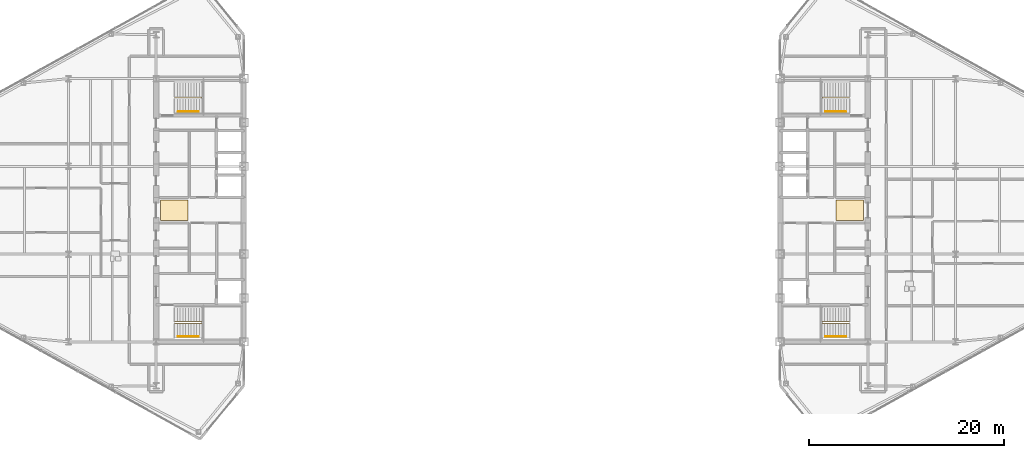
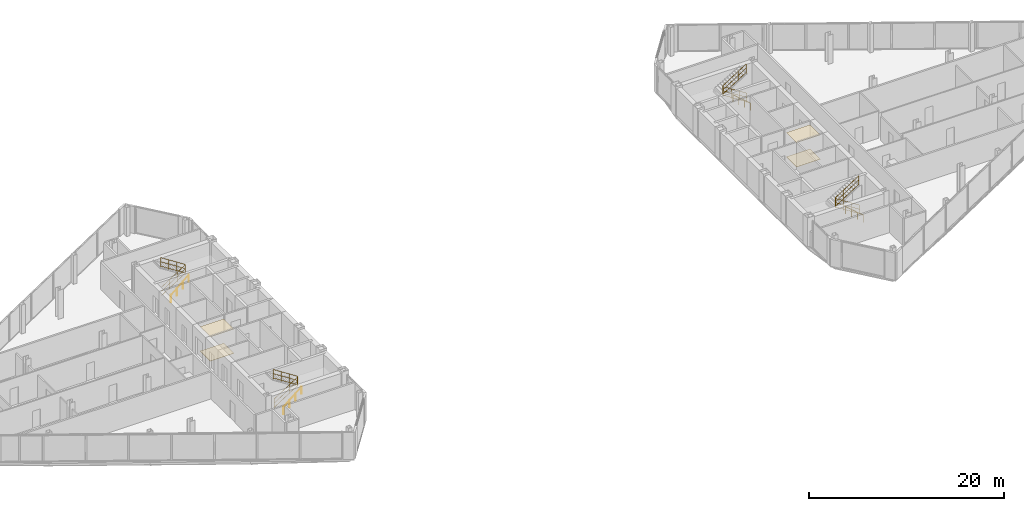
# One storey, part 25 of 26: 8 railings, 4 coverings.
"""IFC4 building model written with IfcOpenShell, lengths in metres."""

from ifc_helpers import new_model, si_unit, direction, frame, origin, origin_2d, place, context, subcontext, project, spatial, polyline, circle, outline, extrude, material, layer, layer_set, type_object, element, save


model = new_model("IFC4")

# Units and contexts
model_context = context("Model", 3, precision=1e-05, world=origin(), true_north=direction((0.0, 1.0)))
body_context = subcontext(model_context, "Body", "Model", "MODEL_VIEW")
ifc_project = project(units=[si_unit("LENGTHUNIT", "METRE"), si_unit("AREAUNIT", "SQUARE_METRE"), si_unit("VOLUMEUNIT", "CUBIC_METRE"), si_unit("PLANEANGLEUNIT", "RADIAN"), si_unit("MASSUNIT", "GRAM", prefix="KILO")], contexts=[model_context])

# Site, building, storey
site_placement = place(None, origin())
site = spatial("IfcSite", under=ifc_project, at=site_placement, CompositionType="ELEMENT")
building_placement = place(site_placement, origin())
building = spatial("IfcBuilding", under=site, at=building_placement, Name="Seokmaru Belvedere", CompositionType="ELEMENT")
storey_placement = place(building_placement, frame((0.0, 0.0, 192.300048828125)))
storey = spatial("IfcBuildingStorey", under=building, at=storey_placement, Name="L51", CompositionType="ELEMENT", Elevation=192.300048828125)

# Coverings
ifc_material_1 = material(Name="Engineered White Oak Timber", Category="wood")
ifc_layer_1 = layer(ifc_material_1, 0.02197265625)
ifc_layer_set_1 = layer_set([ifc_layer_1], Name="Engineered White Oak Timber")
covering_type_1 = type_object("IfcCoveringType", Name="Engineered Oak Residence Floor Finish 22", PredefinedType="FLOORING", material=ifc_layer_set_1)
covering_1_placement = place(storey_placement, origin())
element("IfcCovering", 1, at=covering_1_placement, inside=storey, type_object=covering_type_1, Name="L51 W Foyer Floor Finish", PredefinedType="FLOORING", context=body_context, shape_type="SweptSolid", body=[
    extrude(outline(polyline([(-36.050048828125, -1.050048828125), (-33.25, -1.050048828125), (-33.25, 1.050048828125), (-36.050048828125, 1.050048828125), (-36.050048828125, -1.050048828125)])), origin(), (0.0, 0.0, 1.0), 0.02197265625),
])
covering_2_placement = place(storey_placement, origin())
element("IfcCovering", 2, at=covering_2_placement, inside=storey, type_object=covering_type_1, Name="L51 E Foyer Floor Finish", PredefinedType="FLOORING", context=body_context, shape_type="SweptSolid", body=[
    extrude(outline(polyline([(33.25, -1.050048828125), (36.050048828125, -1.050048828125), (36.050048828125, 1.050048828125), (33.25, 1.050048828125), (33.25, -1.050048828125)])), origin(), (0.0, 0.0, 1.0), 0.02197265625),
])
ifc_material_2 = material(Name="Fire-Rated Gypsum Shaftwall")
ifc_layer_2 = layer(ifc_material_2, 0.02490234375)
ifc_layer_set_2 = layer_set([ifc_layer_2], Name="Fire-Rated Gypsum Shaftwall")
covering_type_2 = type_object("IfcCoveringType", Name="Perforated Acoustic Gypsum Suspended Ceiling 25", PredefinedType="CEILING", material=ifc_layer_set_2)
covering_3_placement = place(storey_placement, frame((0.0, 0.0, 3.030029296875)))
element("IfcCovering", 3, at=covering_3_placement, inside=storey, type_object=covering_type_2, Name="L51 W Lift Foyer Acoustic Ceiling", PredefinedType="CEILING", context=body_context, shape_type="SweptSolid", body=[
    extrude(outline(polyline([(-36.050048828125, -1.050048828125), (-33.25, -1.050048828125), (-33.25, 1.050048828125), (-36.050048828125, 1.050048828125), (-36.050048828125, -1.050048828125)])), origin(), (0.0, 0.0, 1.0), 0.02490234375),
])
covering_4_placement = place(storey_placement, frame((0.0, 0.0, 3.030029296875)))
element("IfcCovering", 4, at=covering_4_placement, inside=storey, type_object=covering_type_2, Name="L51 E Lift Foyer Acoustic Ceiling", PredefinedType="CEILING", context=body_context, shape_type="SweptSolid", body=[
    extrude(outline(polyline([(33.25, -1.050048828125), (36.050048828125, -1.050048828125), (36.050048828125, 1.050048828125), (33.25, 1.050048828125), (33.25, -1.050048828125)])), origin(), (0.0, 0.0, 1.0), 0.02490234375),
])

# Railings
ifc_material_3 = material(Name="Stainless Steel 316", Category="steel")
railing_type_1 = type_object("IfcRailingType", Name="Stainless Steel Wall and Flight Handrail 900", PredefinedType="HANDRAIL", material=ifc_material_3)
for number, where, name in (
    (5, (-34.25, -12.949951171875, 0.0), "L51 Stair ST-W1 Wall Handrail"),
    (6, (-34.25, 10.110107421875, 0.0), "L51 Stair ST-W2 Wall Handrail"),
):
    element("IfcRailing", number, at=place(storey_placement, frame(where)), inside=storey, type_object=railing_type_1, Name=name, PredefinedType="HANDRAIL", context=body_context, shape_type="SweptSolid", body=[
        extrude(circle(Radius=0.02392578125, at=origin_2d()), frame((0.0, 0.0, 0.8759765625), z_axis=(0.759262832861, 0.0, 0.650784104474), x_axis=(0.0, 1.0, 0.0)), (0.0, 0.0, 1.0), 2.765869140625),
        extrude(circle(Radius=0.02099609375, at=origin_2d()), origin(), (0.0, 0.0, 1.0), 0.851806640625),
        extrude(circle(Radius=0.02099609375, at=origin_2d()), frame((0.699951171875, 0.0, 0.60009765625)), (0.0, 0.0, 1.0), 0.851806640625),
        extrude(circle(Radius=0.02099609375, at=origin_2d()), frame((1.400146484375, 0.0, 1.199951171875)), (0.0, 0.0, 1.0), 0.851806640625),
        extrude(circle(Radius=0.02099609375, at=origin_2d()), frame((2.10009765625, 0.0, 1.800048828125)), (0.0, 0.0, 1.0), 0.851806640625),
    ])
for number, where, name in (
    (7, (34.25, -12.949951171875, 0.0), "L51 Stair ST-E1 Wall Handrail"),
    (8, (34.25, 10.110107421875, 0.0), "L51 Stair ST-E2 Wall Handrail"),
):
    element("IfcRailing", number, at=place(storey_placement, frame(where)), inside=storey, type_object=railing_type_1, Name=name, PredefinedType="HANDRAIL", context=body_context, shape_type="SweptSolid", body=[
        extrude(circle(Radius=0.02392578125, at=origin_2d()), frame((0.0, 0.0, 0.8759765625), z_axis=(-0.759262832861, 0.0, 0.650784104474), x_axis=(0.0, -1.0, 0.0)), (0.0, 0.0, 1.0), 2.765869140625),
        extrude(circle(Radius=0.02099609375, at=origin_2d()), origin(), (0.0, 0.0, 1.0), 0.851806640625),
        extrude(circle(Radius=0.02099609375, at=origin_2d()), frame((-0.699951171875, 0.0, 0.60009765625)), (0.0, 0.0, 1.0), 0.851806640625),
        extrude(circle(Radius=0.02099609375, at=origin_2d()), frame((-1.400146484375, 0.0, 1.199951171875)), (0.0, 0.0, 1.0), 0.851806640625),
        extrude(circle(Radius=0.02099609375, at=origin_2d()), frame((-2.10009765625, 0.0, 1.800048828125)), (0.0, 0.0, 1.0), 0.851806640625),
    ])
railing_type_2 = type_object("IfcRailingType", Name="Stair Well and Atrium Steel Guardrail 1200", PredefinedType="GUARDRAIL", material=ifc_material_3)
railing_1_placement = place(storey_placement, frame((-34.60009765625, -11.60009765625, 0.0)))
element("IfcRailing", 9, at=railing_1_placement, inside=storey, type_object=railing_type_2, Name="L51 Stair ST-W1 Inner Well Guardrail", PredefinedType="GUARDRAIL", context=body_context, shape_type="SweptSolid", body=[
    extrude(circle(Radius=0.02392578125, at=origin_2d()), frame((0.0, 0.0, 1.17578125), z_axis=(0.841176092368, 0.0, 0.540761298198), x_axis=(0.0, 1.0, 0.0)), (0.0, 0.0, 1.0), 3.32861328125),
    extrude(circle(Radius=0.02392578125, at=origin_2d()), frame((0.0, 0.0, 0.1201171875), z_axis=(0.841176092368, 0.0, 0.540761298198), x_axis=(0.0, 1.0, 0.0)), (0.0, 0.0, 1.0), 3.32861328125),
    extrude(circle(Radius=0.02392578125, at=origin_2d()), frame((0.0, 0.0, 0.659912109375), z_axis=(0.841176092368, 0.0, 0.540761298198), x_axis=(0.0, 1.0, 0.0)), (0.0, 0.0, 1.0), 3.32861328125),
    extrude(circle(Radius=0.02392578125, at=origin_2d()), frame((2.800048828125, 0.0, 2.97607421875), z_axis=(0.0, 1.0, 0.0), x_axis=(-1.0, 0.0, 0.0)), (0.0, 0.0, 1.0), 0.14013671875),
    extrude(circle(Radius=0.02392578125, at=origin_2d()), frame((2.800048828125, 0.0, 1.920166015625), z_axis=(0.0, 1.0, 0.0), x_axis=(-1.0, 0.0, 0.0)), (0.0, 0.0, 1.0), 0.14013671875),
    extrude(circle(Radius=0.02392578125, at=origin_2d()), frame((2.800048828125, 0.0, 2.4599609375), z_axis=(0.0, 1.0, 0.0), x_axis=(-1.0, 0.0, 0.0)), (0.0, 0.0, 1.0), 0.14013671875),
    extrude(circle(Radius=0.02392578125, at=origin_2d()), frame((2.800048828125, 0.14013671875, 2.97607421875), z_axis=(-0.841209454229, 0.0, 0.540709398952), x_axis=(0.0, -1.0, 0.0)), (0.0, 0.0, 1.0), 3.32861328125),
    extrude(circle(Radius=0.02392578125, at=origin_2d()), frame((2.800048828125, 0.14013671875, 1.920166015625), z_axis=(-0.841209454229, 0.0, 0.540709398952), x_axis=(0.0, -1.0, 0.0)), (0.0, 0.0, 1.0), 3.32861328125),
    extrude(circle(Radius=0.02392578125, at=origin_2d()), frame((2.800048828125, 0.14013671875, 2.4599609375), z_axis=(-0.841209454229, 0.0, 0.540709398952), x_axis=(0.0, -1.0, 0.0)), (0.0, 0.0, 1.0), 3.32861328125),
    extrude(circle(Radius=0.02099609375, at=origin_2d()), origin(), (0.0, 0.0, 1.0), 1.15185546875),
    extrude(circle(Radius=0.02099609375, at=origin_2d()), frame((0.933349609375, 0.0, 0.60009765625)), (0.0, 0.0, 1.0), 1.15185546875),
    extrude(circle(Radius=0.02099609375, at=origin_2d()), frame((1.86669921875, 0.0, 1.199951171875)), (0.0, 0.0, 1.0), 1.15185546875),
    extrude(circle(Radius=0.02099609375, at=origin_2d()), frame((2.800048828125, 0.0, 1.800048828125)), (0.0, 0.0, 1.0), 1.15185546875),
    extrude(circle(Radius=0.02099609375, at=origin_2d()), frame((2.800048828125, 0.14013671875, 1.800048828125)), (0.0, 0.0, 1.0), 1.15185546875),
    extrude(circle(Radius=0.02099609375, at=origin_2d()), frame((1.86669921875, 0.14013671875, 2.39990234375)), (0.0, 0.0, 1.0), 1.15185546875),
    extrude(circle(Radius=0.02099609375, at=origin_2d()), frame((0.933349609375, 0.14013671875, 3.0)), (0.0, 0.0, 1.0), 1.15185546875),
    extrude(circle(Radius=0.02099609375, at=origin_2d()), frame((0.0, 0.14013671875, 3.599853515625)), (0.0, 0.0, 1.0), 1.15185546875),
])
railing_2_placement = place(storey_placement, frame((-34.60009765625, 11.4599609375, 0.0)))
element("IfcRailing", 10, at=railing_2_placement, inside=storey, type_object=railing_type_2, Name="L51 Stair ST-W2 Inner Well Guardrail", PredefinedType="GUARDRAIL", context=body_context, shape_type="SweptSolid", body=[
    extrude(circle(Radius=0.02392578125, at=origin_2d()), frame((0.0, 0.0, 1.17578125), z_axis=(0.841176092368, 0.0, 0.540761298198), x_axis=(0.0, 1.0, 0.0)), (0.0, 0.0, 1.0), 3.32861328125),
    extrude(circle(Radius=0.02392578125, at=origin_2d()), frame((0.0, 0.0, 0.1201171875), z_axis=(0.841176092368, 0.0, 0.540761298198), x_axis=(0.0, 1.0, 0.0)), (0.0, 0.0, 1.0), 3.32861328125),
    extrude(circle(Radius=0.02392578125, at=origin_2d()), frame((0.0, 0.0, 0.659912109375), z_axis=(0.841176092368, 0.0, 0.540761298198), x_axis=(0.0, 1.0, 0.0)), (0.0, 0.0, 1.0), 3.32861328125),
    extrude(circle(Radius=0.02392578125, at=origin_2d()), frame((2.800048828125, 0.0, 2.97607421875), z_axis=(0.0, 1.0, 0.0), x_axis=(-1.0, 0.0, 0.0)), (0.0, 0.0, 1.0), 0.14013671875),
    extrude(circle(Radius=0.02392578125, at=origin_2d()), frame((2.800048828125, 0.0, 1.920166015625), z_axis=(0.0, 1.0, 0.0), x_axis=(-1.0, 0.0, 0.0)), (0.0, 0.0, 1.0), 0.14013671875),
    extrude(circle(Radius=0.02392578125, at=origin_2d()), frame((2.800048828125, 0.0, 2.4599609375), z_axis=(0.0, 1.0, 0.0), x_axis=(-1.0, 0.0, 0.0)), (0.0, 0.0, 1.0), 0.14013671875),
    extrude(circle(Radius=0.02392578125, at=origin_2d()), frame((2.800048828125, 0.14013671875, 2.97607421875), z_axis=(-0.841209454229, 0.0, 0.540709398952), x_axis=(0.0, -1.0, 0.0)), (0.0, 0.0, 1.0), 3.32861328125),
    extrude(circle(Radius=0.02392578125, at=origin_2d()), frame((2.800048828125, 0.14013671875, 1.920166015625), z_axis=(-0.841209454229, 0.0, 0.540709398952), x_axis=(0.0, -1.0, 0.0)), (0.0, 0.0, 1.0), 3.32861328125),
    extrude(circle(Radius=0.02392578125, at=origin_2d()), frame((2.800048828125, 0.14013671875, 2.4599609375), z_axis=(-0.841209454229, 0.0, 0.540709398952), x_axis=(0.0, -1.0, 0.0)), (0.0, 0.0, 1.0), 3.32861328125),
    extrude(circle(Radius=0.02099609375, at=origin_2d()), origin(), (0.0, 0.0, 1.0), 1.15185546875),
    extrude(circle(Radius=0.02099609375, at=origin_2d()), frame((0.933349609375, 0.0, 0.60009765625)), (0.0, 0.0, 1.0), 1.15185546875),
    extrude(circle(Radius=0.02099609375, at=origin_2d()), frame((1.86669921875, 0.0, 1.199951171875)), (0.0, 0.0, 1.0), 1.15185546875),
    extrude(circle(Radius=0.02099609375, at=origin_2d()), frame((2.800048828125, 0.0, 1.800048828125)), (0.0, 0.0, 1.0), 1.15185546875),
    extrude(circle(Radius=0.02099609375, at=origin_2d()), frame((2.800048828125, 0.14013671875, 1.800048828125)), (0.0, 0.0, 1.0), 1.15185546875),
    extrude(circle(Radius=0.02099609375, at=origin_2d()), frame((1.86669921875, 0.14013671875, 2.39990234375)), (0.0, 0.0, 1.0), 1.15185546875),
    extrude(circle(Radius=0.02099609375, at=origin_2d()), frame((0.933349609375, 0.14013671875, 3.0)), (0.0, 0.0, 1.0), 1.15185546875),
    extrude(circle(Radius=0.02099609375, at=origin_2d()), frame((0.0, 0.14013671875, 3.599853515625)), (0.0, 0.0, 1.0), 1.15185546875),
])
railing_3_placement = place(storey_placement, frame((34.60009765625, -11.60009765625, 0.0)))
element("IfcRailing", 11, at=railing_3_placement, inside=storey, type_object=railing_type_2, Name="L51 Stair ST-E1 Inner Well Guardrail", PredefinedType="GUARDRAIL", context=body_context, shape_type="SweptSolid", body=[
    extrude(circle(Radius=0.02392578125, at=origin_2d()), frame((0.0, 0.0, 1.17578125), z_axis=(-0.841176092368, 0.0, 0.540761298198), x_axis=(0.0, -1.0, 0.0)), (0.0, 0.0, 1.0), 3.32861328125),
    extrude(circle(Radius=0.02392578125, at=origin_2d()), frame((0.0, 0.0, 0.1201171875), z_axis=(-0.841176092368, 0.0, 0.540761298198), x_axis=(0.0, -1.0, 0.0)), (0.0, 0.0, 1.0), 3.32861328125),
    extrude(circle(Radius=0.02392578125, at=origin_2d()), frame((0.0, 0.0, 0.659912109375), z_axis=(-0.841176092368, 0.0, 0.540761298198), x_axis=(0.0, -1.0, 0.0)), (0.0, 0.0, 1.0), 3.32861328125),
    extrude(circle(Radius=0.02392578125, at=origin_2d()), frame((-2.800048828125, 0.0, 2.97607421875), z_axis=(0.0, 1.0, 0.0), x_axis=(-1.0, 0.0, 0.0)), (0.0, 0.0, 1.0), 0.14013671875),
    extrude(circle(Radius=0.02392578125, at=origin_2d()), frame((-2.800048828125, 0.0, 1.920166015625), z_axis=(0.0, 1.0, 0.0), x_axis=(-1.0, 0.0, 0.0)), (0.0, 0.0, 1.0), 0.14013671875),
    extrude(circle(Radius=0.02392578125, at=origin_2d()), frame((-2.800048828125, 0.0, 2.4599609375), z_axis=(0.0, 1.0, 0.0), x_axis=(-1.0, 0.0, 0.0)), (0.0, 0.0, 1.0), 0.14013671875),
    extrude(circle(Radius=0.02392578125, at=origin_2d()), frame((-2.800048828125, 0.14013671875, 2.97607421875), z_axis=(0.841209454229, 0.0, 0.540709398952), x_axis=(0.0, 1.0, 0.0)), (0.0, 0.0, 1.0), 3.32861328125),
    extrude(circle(Radius=0.02392578125, at=origin_2d()), frame((-2.800048828125, 0.14013671875, 1.920166015625), z_axis=(0.841209454229, 0.0, 0.540709398952), x_axis=(0.0, 1.0, 0.0)), (0.0, 0.0, 1.0), 3.32861328125),
    extrude(circle(Radius=0.02392578125, at=origin_2d()), frame((-2.800048828125, 0.14013671875, 2.4599609375), z_axis=(0.841209454229, 0.0, 0.540709398952), x_axis=(0.0, 1.0, 0.0)), (0.0, 0.0, 1.0), 3.32861328125),
    extrude(circle(Radius=0.02099609375, at=origin_2d()), origin(), (0.0, 0.0, 1.0), 1.15185546875),
    extrude(circle(Radius=0.02099609375, at=origin_2d()), frame((-0.933349609375, 0.0, 0.60009765625)), (0.0, 0.0, 1.0), 1.15185546875),
    extrude(circle(Radius=0.02099609375, at=origin_2d()), frame((-1.86669921875, 0.0, 1.199951171875)), (0.0, 0.0, 1.0), 1.15185546875),
    extrude(circle(Radius=0.02099609375, at=origin_2d()), frame((-2.800048828125, 0.0, 1.800048828125)), (0.0, 0.0, 1.0), 1.15185546875),
    extrude(circle(Radius=0.02099609375, at=origin_2d()), frame((-2.800048828125, 0.14013671875, 1.800048828125)), (0.0, 0.0, 1.0), 1.15185546875),
    extrude(circle(Radius=0.02099609375, at=origin_2d()), frame((-1.86669921875, 0.14013671875, 2.39990234375)), (0.0, 0.0, 1.0), 1.15185546875),
    extrude(circle(Radius=0.02099609375, at=origin_2d()), frame((-0.933349609375, 0.14013671875, 3.0)), (0.0, 0.0, 1.0), 1.15185546875),
    extrude(circle(Radius=0.02099609375, at=origin_2d()), frame((0.0, 0.14013671875, 3.599853515625)), (0.0, 0.0, 1.0), 1.15185546875),
])
railing_4_placement = place(storey_placement, frame((34.60009765625, 11.4599609375, 0.0)))
element("IfcRailing", 12, at=railing_4_placement, inside=storey, type_object=railing_type_2, Name="L51 Stair ST-E2 Inner Well Guardrail", PredefinedType="GUARDRAIL", context=body_context, shape_type="SweptSolid", body=[
    extrude(circle(Radius=0.02392578125, at=origin_2d()), frame((0.0, 0.0, 1.17578125), z_axis=(-0.841176092368, 0.0, 0.540761298198), x_axis=(0.0, -1.0, 0.0)), (0.0, 0.0, 1.0), 3.32861328125),
    extrude(circle(Radius=0.02392578125, at=origin_2d()), frame((0.0, 0.0, 0.1201171875), z_axis=(-0.841176092368, 0.0, 0.540761298198), x_axis=(0.0, -1.0, 0.0)), (0.0, 0.0, 1.0), 3.32861328125),
    extrude(circle(Radius=0.02392578125, at=origin_2d()), frame((0.0, 0.0, 0.659912109375), z_axis=(-0.841176092368, 0.0, 0.540761298198), x_axis=(0.0, -1.0, 0.0)), (0.0, 0.0, 1.0), 3.32861328125),
    extrude(circle(Radius=0.02392578125, at=origin_2d()), frame((-2.800048828125, 0.0, 2.97607421875), z_axis=(0.0, 1.0, 0.0), x_axis=(-1.0, 0.0, 0.0)), (0.0, 0.0, 1.0), 0.14013671875),
    extrude(circle(Radius=0.02392578125, at=origin_2d()), frame((-2.800048828125, 0.0, 1.920166015625), z_axis=(0.0, 1.0, 0.0), x_axis=(-1.0, 0.0, 0.0)), (0.0, 0.0, 1.0), 0.14013671875),
    extrude(circle(Radius=0.02392578125, at=origin_2d()), frame((-2.800048828125, 0.0, 2.4599609375), z_axis=(0.0, 1.0, 0.0), x_axis=(-1.0, 0.0, 0.0)), (0.0, 0.0, 1.0), 0.14013671875),
    extrude(circle(Radius=0.02392578125, at=origin_2d()), frame((-2.800048828125, 0.14013671875, 2.97607421875), z_axis=(0.841209454229, 0.0, 0.540709398952), x_axis=(0.0, 1.0, 0.0)), (0.0, 0.0, 1.0), 3.32861328125),
    extrude(circle(Radius=0.02392578125, at=origin_2d()), frame((-2.800048828125, 0.14013671875, 1.920166015625), z_axis=(0.841209454229, 0.0, 0.540709398952), x_axis=(0.0, 1.0, 0.0)), (0.0, 0.0, 1.0), 3.32861328125),
    extrude(circle(Radius=0.02392578125, at=origin_2d()), frame((-2.800048828125, 0.14013671875, 2.4599609375), z_axis=(0.841209454229, 0.0, 0.540709398952), x_axis=(0.0, 1.0, 0.0)), (0.0, 0.0, 1.0), 3.32861328125),
    extrude(circle(Radius=0.02099609375, at=origin_2d()), origin(), (0.0, 0.0, 1.0), 1.15185546875),
    extrude(circle(Radius=0.02099609375, at=origin_2d()), frame((-0.933349609375, 0.0, 0.60009765625)), (0.0, 0.0, 1.0), 1.15185546875),
    extrude(circle(Radius=0.02099609375, at=origin_2d()), frame((-1.86669921875, 0.0, 1.199951171875)), (0.0, 0.0, 1.0), 1.15185546875),
    extrude(circle(Radius=0.02099609375, at=origin_2d()), frame((-2.800048828125, 0.0, 1.800048828125)), (0.0, 0.0, 1.0), 1.15185546875),
    extrude(circle(Radius=0.02099609375, at=origin_2d()), frame((-2.800048828125, 0.14013671875, 1.800048828125)), (0.0, 0.0, 1.0), 1.15185546875),
    extrude(circle(Radius=0.02099609375, at=origin_2d()), frame((-1.86669921875, 0.14013671875, 2.39990234375)), (0.0, 0.0, 1.0), 1.15185546875),
    extrude(circle(Radius=0.02099609375, at=origin_2d()), frame((-0.933349609375, 0.14013671875, 3.0)), (0.0, 0.0, 1.0), 1.15185546875),
    extrude(circle(Radius=0.02099609375, at=origin_2d()), frame((0.0, 0.14013671875, 3.599853515625)), (0.0, 0.0, 1.0), 1.15185546875),
])

save(model, "model.ifc")
